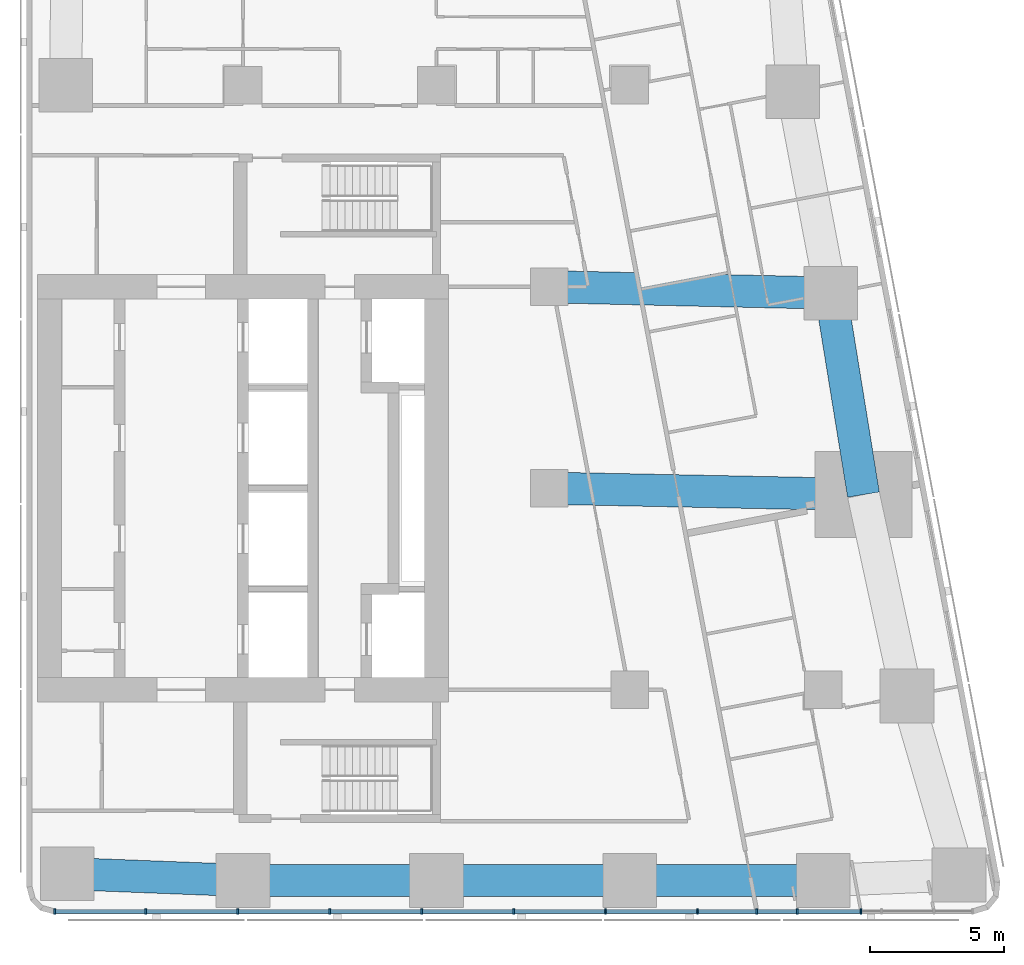
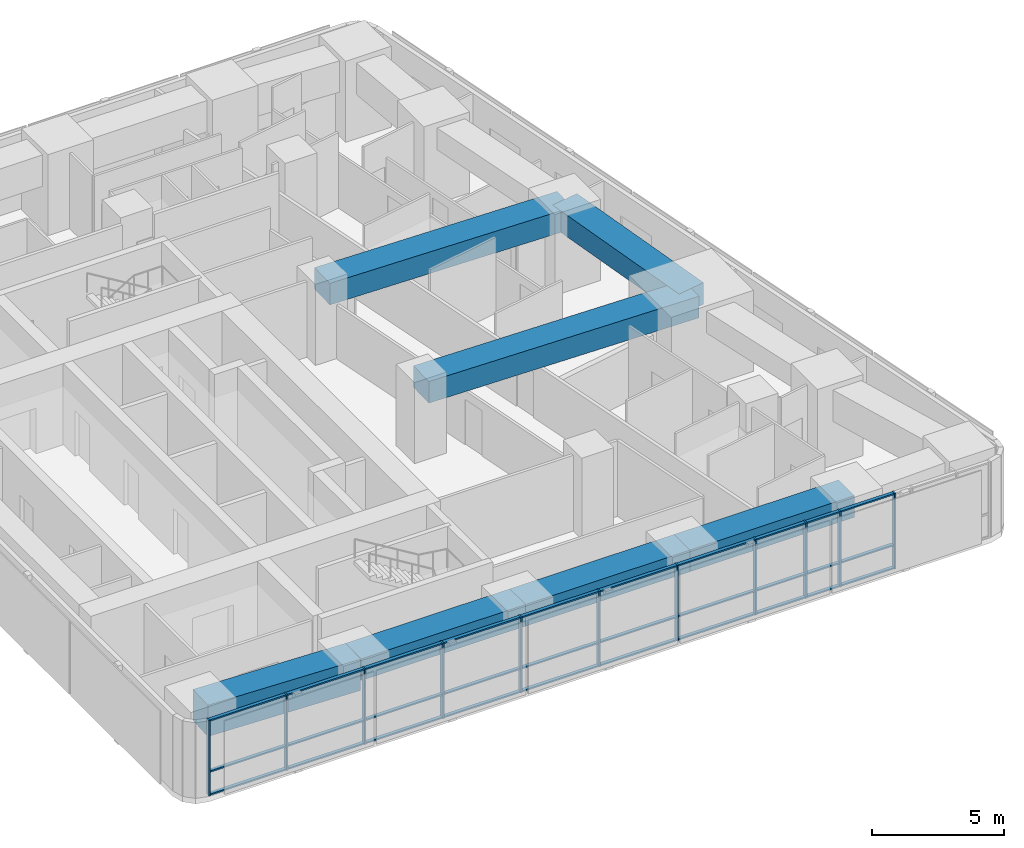
# One storey, part 2 of 10: 41 members, 7 beams, 1 element without a shape of its own.
"""IFC4 building model written with IfcOpenShell, lengths in metres."""

from ifc_helpers import new_model, si_unit, direction, frame, origin, origin_2d, place, context, subcontext, project, spatial, rectangle, extrude, material, material_profile, profile_set, type_object, element, aggregate, save


model = new_model("IFC4")

# Units and contexts
model_context = context("Model", 3, precision=1e-05, world=origin(), true_north=direction((0.0, 1.0)))
body_context = subcontext(model_context, "Body", "Model", "MODEL_VIEW")
ifc_project = project(units=[si_unit("LENGTHUNIT", "METRE"), si_unit("AREAUNIT", "SQUARE_METRE"), si_unit("VOLUMEUNIT", "CUBIC_METRE"), si_unit("PLANEANGLEUNIT", "RADIAN"), si_unit("MASSUNIT", "GRAM", prefix="KILO")], contexts=[model_context])

# Site, building, storey
site_placement = place(None, origin())
site = spatial("IfcSite", under=ifc_project, at=site_placement, CompositionType="ELEMENT")
building_placement = place(site_placement, origin())
building = spatial("IfcBuilding", under=site, at=building_placement, Name="Sheger Commons Tower", CompositionType="ELEMENT")
storey_placement = place(building_placement, frame((0.0, 0.0, 289.10009765625)))
storey = spatial("IfcBuildingStorey", under=building, at=storey_placement, Name="L74", CompositionType="ELEMENT", Elevation=289.10009765625)

# Beams
ifc_material_1 = material(Name="Concrete C50/60", Category="concrete")
ifc_material_profile_1 = material_profile(ifc_material_1, rectangle(XDim=1.199951171875, YDim=1.0, at=origin_2d()), Name="RC 1200x1000")
ifc_profile_set_1 = profile_set([ifc_material_profile_1], Name="Concrete C50/60")
beam_type_1 = type_object("IfcBeamType", Name="BEAM RC 1200x1000", PredefinedType="BEAM", material=ifc_profile_set_1)
beam_1_placement = place(storey_placement, frame((33.0, 22.5, 3.0), z_axis=(0.999794692776, -0.02026258368, 0.0), x_axis=(0.02026258368, 0.999794692776, 0.0)))
element("IfcBeam", 1, at=beam_1_placement, inside=storey, type_object=beam_type_1, Name="Beam 6-3000/D-7/D under L75", PredefinedType="BEAM", context=body_context, shape_type="SweptSolid", body=[
    extrude(rectangle(XDim=1.199951171875, YDim=1.0, at=origin_2d()), origin(), (0.0, 0.0, 1.0), 11.699462890625),
])
beam_2_placement = place(storey_placement, frame((33.0, 30.0, 3.0), z_axis=(0.999744258625, -0.022614538395, 0.0), x_axis=(0.022614538395, 0.999744258625, 0.0)))
element("IfcBeam", 2, at=beam_2_placement, inside=storey, type_object=beam_type_1, Name="Beam 6-3000/E-E/E under L75", PredefinedType="BEAM", context=body_context, shape_type="SweptSolid", body=[
    extrude(rectangle(XDim=1.199951171875, YDim=1.0, at=origin_2d()), origin(), (0.0, 0.0, 1.0), 10.482666015625),
])

# Curtain wall, members
ifc_material_2 = material(Name="Black aluminium curtain wall, dark tinted glazing", Category="aluminium")
curtain_wall_type = type_object("IfcCurtainWallType", Name="CURTAIN WALL CW5 SOUTH GALLERY", PredefinedType="USERDEFINED", material=ifc_material_2)
curtain_wall_placement = place(storey_placement, origin())
curtain_wall = element("IfcCurtainWall", 3, at=curtain_wall_placement, inside=storey, type_object=curtain_wall_type, Name="Curtain Wall Cw5 South Gallery S1 L74", ObjectType="UNITISED CURTAIN WALL", PredefinedType="USERDEFINED")
ifc_material_3 = material(Name="Black anodised aluminium", Category="aluminium")
ifc_material_profile_2 = material_profile(ifc_material_3, rectangle(XDim=0.199951171875, YDim=0.06494140625, at=origin_2d()), Name="AL 65x200")
ifc_profile_set_2 = profile_set([ifc_material_profile_2], Name="Black anodised aluminium")
member_type_1 = type_object("IfcMemberType", Name="MULLION AL 65x200", PredefinedType="MULLION", material=ifc_profile_set_2)
member_1_placement = place(storey_placement, frame((14.595458984375, 6.75, 0.0), z_axis=(0.0, 0.0, 1.0), x_axis=(0.0, 1.0, 0.0)))
member_1 = element("IfcMember", 4, at=member_1_placement, type_object=member_type_1, Name="CW5 mullion 1", PredefinedType="MULLION", context=body_context, shape_type="SweptSolid", body=[
    extrude(rectangle(XDim=0.199951171875, YDim=0.06494140625, at=origin_2d()), origin(), (0.0, 0.0, 1.0), 3.5),
])
member_2_placement = place(storey_placement, frame((17.985107421875, 6.75, 0.0), z_axis=(0.0, 0.0, 1.0), x_axis=(0.0, 1.0, 0.0)))
member_2 = element("IfcMember", 5, at=member_2_placement, type_object=member_type_1, Name="CW5 mullion 2", PredefinedType="MULLION", context=body_context, shape_type="SweptSolid", body=[
    extrude(rectangle(XDim=0.199951171875, YDim=0.06494140625, at=origin_2d()), origin(), (0.0, 0.0, 1.0), 3.5),
])
member_3_placement = place(storey_placement, frame((21.407958984375, 6.75, 0.0), z_axis=(0.0, 0.0, 1.0), x_axis=(0.0, 1.0, 0.0)))
member_3 = element("IfcMember", 6, at=member_3_placement, type_object=member_type_1, Name="CW5 mullion 3", PredefinedType="MULLION", context=body_context, shape_type="SweptSolid", body=[
    extrude(rectangle(XDim=0.199951171875, YDim=0.06494140625, at=origin_2d()), origin(), (0.0, 0.0, 1.0), 3.5),
])
member_4_placement = place(storey_placement, frame((24.830078125, 6.75, 0.0), z_axis=(0.0, 0.0, 1.0), x_axis=(0.0, 1.0, 0.0)))
member_4 = element("IfcMember", 7, at=member_4_placement, type_object=member_type_1, Name="CW5 mullion 4", PredefinedType="MULLION", context=body_context, shape_type="SweptSolid", body=[
    extrude(rectangle(XDim=0.199951171875, YDim=0.06494140625, at=origin_2d()), origin(), (0.0, 0.0, 1.0), 3.5),
])
member_5_placement = place(storey_placement, frame((28.2529296875, 6.75, 0.0), z_axis=(0.0, 0.0, 1.0), x_axis=(0.0, 1.0, 0.0)))
member_5 = element("IfcMember", 8, at=member_5_placement, type_object=member_type_1, Name="CW5 mullion 5", PredefinedType="MULLION", context=body_context, shape_type="SweptSolid", body=[
    extrude(rectangle(XDim=0.199951171875, YDim=0.06494140625, at=origin_2d()), origin(), (0.0, 0.0, 1.0), 3.5),
])
member_6_placement = place(storey_placement, frame((31.675048828125, 6.75, 0.0), z_axis=(0.0, 0.0, 1.0), x_axis=(0.0, 1.0, 0.0)))
member_6 = element("IfcMember", 9, at=member_6_placement, type_object=member_type_1, Name="CW5 mullion 6", PredefinedType="MULLION", context=body_context, shape_type="SweptSolid", body=[
    extrude(rectangle(XDim=0.199951171875, YDim=0.06494140625, at=origin_2d()), origin(), (0.0, 0.0, 1.0), 3.5),
])
member_7_placement = place(storey_placement, frame((35.096923828125, 6.75, 0.0), z_axis=(0.0, 0.0, 1.0), x_axis=(0.0, 1.0, 0.0)))
member_7 = element("IfcMember", 10, at=member_7_placement, type_object=member_type_1, Name="CW5 mullion 7", PredefinedType="MULLION", context=body_context, shape_type="SweptSolid", body=[
    extrude(rectangle(XDim=0.199951171875, YDim=0.06494140625, at=origin_2d()), origin(), (0.0, 0.0, 1.0), 3.5),
])
member_8_placement = place(storey_placement, frame((38.52001953125, 6.75, 0.0), z_axis=(0.0, 0.0, 1.0), x_axis=(0.0, 1.0, 0.0)))
member_8 = element("IfcMember", 11, at=member_8_placement, type_object=member_type_1, Name="CW5 mullion 8", PredefinedType="MULLION", context=body_context, shape_type="SweptSolid", body=[
    extrude(rectangle(XDim=0.199951171875, YDim=0.06494140625, at=origin_2d()), origin(), (0.0, 0.0, 1.0), 3.5),
])
member_9_placement = place(storey_placement, frame((40.72900390625, 6.75, 0.0), z_axis=(0.0, 0.0, 1.0), x_axis=(0.0, 1.0, 0.0)))
member_9 = element("IfcMember", 12, at=member_9_placement, type_object=member_type_1, Name="CW5 mullion 9", PredefinedType="MULLION", context=body_context, shape_type="SweptSolid", body=[
    extrude(rectangle(XDim=0.199951171875, YDim=0.06494140625, at=origin_2d()), origin(), (0.0, 0.0, 1.0), 3.5),
])
member_10_placement = place(storey_placement, frame((42.22802734375, 6.75, 0.0), z_axis=(0.0, 0.0, 1.0), x_axis=(0.0, 1.0, 0.0)))
member_10 = element("IfcMember", 13, at=member_10_placement, type_object=member_type_1, Name="CW5 mullion 10", PredefinedType="MULLION", context=body_context, shape_type="SweptSolid", body=[
    extrude(rectangle(XDim=0.199951171875, YDim=0.06494140625, at=origin_2d()), origin(), (0.0, 0.0, 1.0), 3.5),
])
member_11_placement = place(storey_placement, frame((44.60595703125, 6.75, 0.0), z_axis=(0.0, 0.0, 1.0), x_axis=(0.0, 1.0, 0.0)))
member_11 = element("IfcMember", 14, at=member_11_placement, type_object=member_type_1, Name="CW5 mullion 11", PredefinedType="MULLION", context=body_context, shape_type="SweptSolid", body=[
    extrude(rectangle(XDim=0.199951171875, YDim=0.06494140625, at=origin_2d()), origin(), (0.0, 0.0, 1.0), 3.5),
])

# Beams
ifc_material_4 = material(Name="Concrete C50/60", Category="concrete")
ifc_material_profile_3 = material_profile(ifc_material_4, rectangle(XDim=1.199951171875, YDim=1.0, at=origin_2d()), Name="RC 1200x1000")
ifc_profile_set_3 = profile_set([ifc_material_profile_3], Name="Concrete C50/60")
beam_type_2 = type_object("IfcBeamType", Name="SPANDREL RC 1200x1000", PredefinedType="SPANDREL", material=ifc_profile_set_3)
for number, where, z_axis, x_axis, name in (
    (15, (21.60009765625, 7.89990234375, 3.0), (1.0, 0.0, 0.0), (0.0, 1.0, 0.0), "Beam 4/B-5/B under L75"),
    (16, (28.800048828125, 7.89990234375, 3.0), (1.0, 0.0, 0.0), (0.0, 1.0, 0.0), "Beam 5/B-6/B under L75"),
    (17, (36.0, 7.89990234375, 3.0), (1.0, 0.0, 0.0), (0.0, 1.0, 0.0), "Beam 6/B-7/B under L75"),
):
    element("IfcBeam", number, at=place(storey_placement, frame(where, z_axis=z_axis, x_axis=x_axis)), inside=storey, type_object=beam_type_2, Name=name, PredefinedType="SPANDREL", context=body_context, shape_type="SweptSolid", body=[
        extrude(rectangle(XDim=1.199951171875, YDim=1.0, at=origin_2d()), origin(), (0.0, 0.0, 1.0), 7.199951171875),
    ])
beam_3_placement = place(storey_placement, frame((44.697021484375, 22.262939453125, 3.0), z_axis=(-0.160176929512, 0.987088319884, 0.0), x_axis=(-0.987088319884, -0.160176929512, 0.0)))
element("IfcBeam", 18, at=beam_3_placement, inside=storey, type_object=beam_type_2, Name="Beam E/D-E/E under L75", PredefinedType="SPANDREL", context=body_context, shape_type="SweptSolid", body=[
    extrude(rectangle(XDim=1.199951171875, YDim=1.0, at=origin_2d()), origin(), (0.0, 0.0, 1.0), 7.59814453125),
])
ifc_material_5 = material(Name="Concrete C50/60", Category="concrete")
ifc_material_profile_4 = material_profile(ifc_material_5, rectangle(XDim=1.199951171875, YDim=1.449951171875, at=origin_2d()), Name="RC 1200x1450")
ifc_profile_set_4 = profile_set([ifc_material_profile_4], Name="Concrete C50/60")
beam_type_3 = type_object("IfcBeamType", Name="SPANDREL RC 1200x1450", PredefinedType="SPANDREL", material=ifc_profile_set_4)
beam_4_placement = place(storey_placement, frame((15.053955078125, 8.154052734375, 2.77490234375), z_axis=(0.999247181966, -0.038795223079, 0.0), x_axis=(0.038795223079, 0.999247181966, 0.0)))
element("IfcBeam", 19, at=beam_4_placement, inside=storey, type_object=beam_type_3, Name="Beam 3/B-4/B under L75", PredefinedType="SPANDREL", context=body_context, shape_type="SweptSolid", body=[
    extrude(rectangle(XDim=1.199951171875, YDim=1.449951171875, at=origin_2d()), origin(), (0.0, 0.0, 1.0), 6.551025390625),
])

# Member
ifc_material_6 = material(Name="Black anodised aluminium", Category="aluminium")
ifc_material_profile_5 = material_profile(ifc_material_6, rectangle(XDim=0.14990234375, YDim=0.06494140625, at=origin_2d()), Name="AL 65x150")
ifc_profile_set_5 = profile_set([ifc_material_profile_5], Name="Black anodised aluminium")
member_type_2 = type_object("IfcMemberType", Name="TRANSOM AL 65x150", PredefinedType="USERDEFINED", material=ifc_profile_set_5)
member_12_placement = place(storey_placement, frame((14.6279296875, 6.75, 0.032470703125), z_axis=(1.0, 0.0, 0.0), x_axis=(0.0, 1.0, 0.0)))
member_12 = element("IfcMember", 20, at=member_12_placement, type_object=member_type_2, Name="CW5 transom 1.1", ObjectType="TRANSOM", PredefinedType="USERDEFINED", context=body_context, shape_type="SweptSolid", body=[
    extrude(rectangle(XDim=0.14990234375, YDim=0.06494140625, at=origin_2d()), origin(), (0.0, 0.0, 1.0), 3.324462890625),
])

member_13_placement = place(storey_placement, frame((14.6279296875, 6.75, 1.099853515625), z_axis=(1.0, 0.0, 0.0), x_axis=(0.0, 1.0, 0.0)))
member_13 = element("IfcMember", 21, at=member_13_placement, type_object=member_type_2, Name="CW5 transom 1.2", ObjectType="TRANSOM", PredefinedType="USERDEFINED", context=body_context, shape_type="SweptSolid", body=[
    extrude(rectangle(XDim=0.14990234375, YDim=0.06494140625, at=origin_2d()), origin(), (0.0, 0.0, 1.0), 3.324462890625),
])

member_14_placement = place(storey_placement, frame((14.6279296875, 6.75, 3.46728515625), z_axis=(1.0, 0.0, 0.0), x_axis=(0.0, 1.0, 0.0)))
member_14 = element("IfcMember", 22, at=member_14_placement, type_object=member_type_2, Name="CW5 transom 1.3", ObjectType="TRANSOM", PredefinedType="USERDEFINED", context=body_context, shape_type="SweptSolid", body=[
    extrude(rectangle(XDim=0.14990234375, YDim=0.06494140625, at=origin_2d()), origin(), (0.0, 0.0, 1.0), 3.324462890625),
])

member_15_placement = place(storey_placement, frame((18.017578125, 6.75, 0.032470703125), z_axis=(1.0, 0.0, 0.0), x_axis=(0.0, 1.0, 0.0)))
member_15 = element("IfcMember", 23, at=member_15_placement, type_object=member_type_2, Name="CW5 transom 2.1", ObjectType="TRANSOM", PredefinedType="USERDEFINED", context=body_context, shape_type="SweptSolid", body=[
    extrude(rectangle(XDim=0.14990234375, YDim=0.06494140625, at=origin_2d()), origin(), (0.0, 0.0, 1.0), 3.35791015625),
])

member_16_placement = place(storey_placement, frame((18.017578125, 6.75, 1.099853515625), z_axis=(1.0, 0.0, 0.0), x_axis=(0.0, 1.0, 0.0)))
member_16 = element("IfcMember", 24, at=member_16_placement, type_object=member_type_2, Name="CW5 transom 2.2", ObjectType="TRANSOM", PredefinedType="USERDEFINED", context=body_context, shape_type="SweptSolid", body=[
    extrude(rectangle(XDim=0.14990234375, YDim=0.06494140625, at=origin_2d()), origin(), (0.0, 0.0, 1.0), 3.35791015625),
])

member_17_placement = place(storey_placement, frame((18.017578125, 6.75, 3.46728515625), z_axis=(1.0, 0.0, 0.0), x_axis=(0.0, 1.0, 0.0)))
member_17 = element("IfcMember", 25, at=member_17_placement, type_object=member_type_2, Name="CW5 transom 2.3", ObjectType="TRANSOM", PredefinedType="USERDEFINED", context=body_context, shape_type="SweptSolid", body=[
    extrude(rectangle(XDim=0.14990234375, YDim=0.06494140625, at=origin_2d()), origin(), (0.0, 0.0, 1.0), 3.35791015625),
])

member_18_placement = place(storey_placement, frame((21.4404296875, 6.75, 0.032470703125), z_axis=(1.0, 0.0, 0.0), x_axis=(0.0, 1.0, 0.0)))
member_18 = element("IfcMember", 26, at=member_18_placement, type_object=member_type_2, Name="CW5 transom 3.1", ObjectType="TRANSOM", PredefinedType="USERDEFINED", context=body_context, shape_type="SweptSolid", body=[
    extrude(rectangle(XDim=0.14990234375, YDim=0.06494140625, at=origin_2d()), origin(), (0.0, 0.0, 1.0), 3.357177734375),
])

member_19_placement = place(storey_placement, frame((21.4404296875, 6.75, 1.099853515625), z_axis=(1.0, 0.0, 0.0), x_axis=(0.0, 1.0, 0.0)))
member_19 = element("IfcMember", 27, at=member_19_placement, type_object=member_type_2, Name="CW5 transom 3.2", ObjectType="TRANSOM", PredefinedType="USERDEFINED", context=body_context, shape_type="SweptSolid", body=[
    extrude(rectangle(XDim=0.14990234375, YDim=0.06494140625, at=origin_2d()), origin(), (0.0, 0.0, 1.0), 3.357177734375),
])

member_20_placement = place(storey_placement, frame((21.4404296875, 6.75, 3.46728515625), z_axis=(1.0, 0.0, 0.0), x_axis=(0.0, 1.0, 0.0)))
member_20 = element("IfcMember", 28, at=member_20_placement, type_object=member_type_2, Name="CW5 transom 3.3", ObjectType="TRANSOM", PredefinedType="USERDEFINED", context=body_context, shape_type="SweptSolid", body=[
    extrude(rectangle(XDim=0.14990234375, YDim=0.06494140625, at=origin_2d()), origin(), (0.0, 0.0, 1.0), 3.357177734375),
])

member_21_placement = place(storey_placement, frame((24.862548828125, 6.75, 0.032470703125), z_axis=(1.0, 0.0, 0.0), x_axis=(0.0, 1.0, 0.0)))
member_21 = element("IfcMember", 29, at=member_21_placement, type_object=member_type_2, Name="CW5 transom 4.1", ObjectType="TRANSOM", PredefinedType="USERDEFINED", context=body_context, shape_type="SweptSolid", body=[
    extrude(rectangle(XDim=0.14990234375, YDim=0.06494140625, at=origin_2d()), origin(), (0.0, 0.0, 1.0), 3.35791015625),
])

member_22_placement = place(storey_placement, frame((24.862548828125, 6.75, 1.099853515625), z_axis=(1.0, 0.0, 0.0), x_axis=(0.0, 1.0, 0.0)))
member_22 = element("IfcMember", 30, at=member_22_placement, type_object=member_type_2, Name="CW5 transom 4.2", ObjectType="TRANSOM", PredefinedType="USERDEFINED", context=body_context, shape_type="SweptSolid", body=[
    extrude(rectangle(XDim=0.14990234375, YDim=0.06494140625, at=origin_2d()), origin(), (0.0, 0.0, 1.0), 3.35791015625),
])

member_23_placement = place(storey_placement, frame((24.862548828125, 6.75, 3.46728515625), z_axis=(1.0, 0.0, 0.0), x_axis=(0.0, 1.0, 0.0)))
member_23 = element("IfcMember", 31, at=member_23_placement, type_object=member_type_2, Name="CW5 transom 4.3", ObjectType="TRANSOM", PredefinedType="USERDEFINED", context=body_context, shape_type="SweptSolid", body=[
    extrude(rectangle(XDim=0.14990234375, YDim=0.06494140625, at=origin_2d()), origin(), (0.0, 0.0, 1.0), 3.35791015625),
])

member_24_placement = place(storey_placement, frame((28.285400390625, 6.75, 0.032470703125), z_axis=(1.0, 0.0, 0.0), x_axis=(0.0, 1.0, 0.0)))
member_24 = element("IfcMember", 32, at=member_24_placement, type_object=member_type_2, Name="CW5 transom 5.1", ObjectType="TRANSOM", PredefinedType="USERDEFINED", context=body_context, shape_type="SweptSolid", body=[
    extrude(rectangle(XDim=0.14990234375, YDim=0.06494140625, at=origin_2d()), origin(), (0.0, 0.0, 1.0), 3.357177734375),
])

member_25_placement = place(storey_placement, frame((28.285400390625, 6.75, 1.099853515625), z_axis=(1.0, 0.0, 0.0), x_axis=(0.0, 1.0, 0.0)))
member_25 = element("IfcMember", 33, at=member_25_placement, type_object=member_type_2, Name="CW5 transom 5.2", ObjectType="TRANSOM", PredefinedType="USERDEFINED", context=body_context, shape_type="SweptSolid", body=[
    extrude(rectangle(XDim=0.14990234375, YDim=0.06494140625, at=origin_2d()), origin(), (0.0, 0.0, 1.0), 3.357177734375),
])

member_26_placement = place(storey_placement, frame((28.285400390625, 6.75, 3.46728515625), z_axis=(1.0, 0.0, 0.0), x_axis=(0.0, 1.0, 0.0)))
member_26 = element("IfcMember", 34, at=member_26_placement, type_object=member_type_2, Name="CW5 transom 5.3", ObjectType="TRANSOM", PredefinedType="USERDEFINED", context=body_context, shape_type="SweptSolid", body=[
    extrude(rectangle(XDim=0.14990234375, YDim=0.06494140625, at=origin_2d()), origin(), (0.0, 0.0, 1.0), 3.357177734375),
])

member_27_placement = place(storey_placement, frame((31.70751953125, 6.75, 0.032470703125), z_axis=(1.0, 0.0, 0.0), x_axis=(0.0, 1.0, 0.0)))
member_27 = element("IfcMember", 35, at=member_27_placement, type_object=member_type_2, Name="CW5 transom 6.1", ObjectType="TRANSOM", PredefinedType="USERDEFINED", context=body_context, shape_type="SweptSolid", body=[
    extrude(rectangle(XDim=0.14990234375, YDim=0.06494140625, at=origin_2d()), origin(), (0.0, 0.0, 1.0), 3.35693359375),
])

member_28_placement = place(storey_placement, frame((31.70751953125, 6.75, 1.099853515625), z_axis=(1.0, 0.0, 0.0), x_axis=(0.0, 1.0, 0.0)))
member_28 = element("IfcMember", 36, at=member_28_placement, type_object=member_type_2, Name="CW5 transom 6.2", ObjectType="TRANSOM", PredefinedType="USERDEFINED", context=body_context, shape_type="SweptSolid", body=[
    extrude(rectangle(XDim=0.14990234375, YDim=0.06494140625, at=origin_2d()), origin(), (0.0, 0.0, 1.0), 3.35693359375),
])

member_29_placement = place(storey_placement, frame((31.70751953125, 6.75, 3.46728515625), z_axis=(1.0, 0.0, 0.0), x_axis=(0.0, 1.0, 0.0)))
member_29 = element("IfcMember", 37, at=member_29_placement, type_object=member_type_2, Name="CW5 transom 6.3", ObjectType="TRANSOM", PredefinedType="USERDEFINED", context=body_context, shape_type="SweptSolid", body=[
    extrude(rectangle(XDim=0.14990234375, YDim=0.06494140625, at=origin_2d()), origin(), (0.0, 0.0, 1.0), 3.35693359375),
])

member_30_placement = place(storey_placement, frame((35.12939453125, 6.75, 0.032470703125), z_axis=(1.0, 0.0, 0.0), x_axis=(0.0, 1.0, 0.0)))
member_30 = element("IfcMember", 38, at=member_30_placement, type_object=member_type_2, Name="CW5 transom 7.1", ObjectType="TRANSOM", PredefinedType="USERDEFINED", context=body_context, shape_type="SweptSolid", body=[
    extrude(rectangle(XDim=0.14990234375, YDim=0.06494140625, at=origin_2d()), origin(), (0.0, 0.0, 1.0), 3.358154296875),
])

member_31_placement = place(storey_placement, frame((35.12939453125, 6.75, 1.099853515625), z_axis=(1.0, 0.0, 0.0), x_axis=(0.0, 1.0, 0.0)))
member_31 = element("IfcMember", 39, at=member_31_placement, type_object=member_type_2, Name="CW5 transom 7.2", ObjectType="TRANSOM", PredefinedType="USERDEFINED", context=body_context, shape_type="SweptSolid", body=[
    extrude(rectangle(XDim=0.14990234375, YDim=0.06494140625, at=origin_2d()), origin(), (0.0, 0.0, 1.0), 3.358154296875),
])

member_32_placement = place(storey_placement, frame((35.12939453125, 6.75, 3.46728515625), z_axis=(1.0, 0.0, 0.0), x_axis=(0.0, 1.0, 0.0)))
member_32 = element("IfcMember", 40, at=member_32_placement, type_object=member_type_2, Name="CW5 transom 7.3", ObjectType="TRANSOM", PredefinedType="USERDEFINED", context=body_context, shape_type="SweptSolid", body=[
    extrude(rectangle(XDim=0.14990234375, YDim=0.06494140625, at=origin_2d()), origin(), (0.0, 0.0, 1.0), 3.358154296875),
])

member_33_placement = place(storey_placement, frame((38.552490234375, 6.75, 0.032470703125), z_axis=(1.0, 0.0, 0.0), x_axis=(0.0, 1.0, 0.0)))
member_33 = element("IfcMember", 41, at=member_33_placement, type_object=member_type_2, Name="CW5 transom 8.1", ObjectType="TRANSOM", PredefinedType="USERDEFINED", context=body_context, shape_type="SweptSolid", body=[
    extrude(rectangle(XDim=0.14990234375, YDim=0.06494140625, at=origin_2d()), origin(), (0.0, 0.0, 1.0), 2.14404296875),
])

member_34_placement = place(storey_placement, frame((38.552490234375, 6.75, 1.099853515625), z_axis=(1.0, 0.0, 0.0), x_axis=(0.0, 1.0, 0.0)))
member_34 = element("IfcMember", 42, at=member_34_placement, type_object=member_type_2, Name="CW5 transom 8.2", ObjectType="TRANSOM", PredefinedType="USERDEFINED", context=body_context, shape_type="SweptSolid", body=[
    extrude(rectangle(XDim=0.14990234375, YDim=0.06494140625, at=origin_2d()), origin(), (0.0, 0.0, 1.0), 2.14404296875),
])

member_35_placement = place(storey_placement, frame((38.552490234375, 6.75, 3.46728515625), z_axis=(1.0, 0.0, 0.0), x_axis=(0.0, 1.0, 0.0)))
member_35 = element("IfcMember", 43, at=member_35_placement, type_object=member_type_2, Name="CW5 transom 8.3", ObjectType="TRANSOM", PredefinedType="USERDEFINED", context=body_context, shape_type="SweptSolid", body=[
    extrude(rectangle(XDim=0.14990234375, YDim=0.06494140625, at=origin_2d()), origin(), (0.0, 0.0, 1.0), 2.14404296875),
])

member_36_placement = place(storey_placement, frame((40.761474609375, 6.75, 0.032470703125), z_axis=(1.0, 0.0, 0.0), x_axis=(0.0, 1.0, 0.0)))
member_36 = element("IfcMember", 44, at=member_36_placement, type_object=member_type_2, Name="CW5 transom 9.1", ObjectType="TRANSOM", PredefinedType="USERDEFINED", context=body_context, shape_type="SweptSolid", body=[
    extrude(rectangle(XDim=0.14990234375, YDim=0.06494140625, at=origin_2d()), origin(), (0.0, 0.0, 1.0), 1.43408203125),
])

member_37_placement = place(storey_placement, frame((40.761474609375, 6.75, 1.099853515625), z_axis=(1.0, 0.0, 0.0), x_axis=(0.0, 1.0, 0.0)))
member_37 = element("IfcMember", 45, at=member_37_placement, type_object=member_type_2, Name="CW5 transom 9.2", ObjectType="TRANSOM", PredefinedType="USERDEFINED", context=body_context, shape_type="SweptSolid", body=[
    extrude(rectangle(XDim=0.14990234375, YDim=0.06494140625, at=origin_2d()), origin(), (0.0, 0.0, 1.0), 1.43408203125),
])

member_38_placement = place(storey_placement, frame((40.761474609375, 6.75, 3.46728515625), z_axis=(1.0, 0.0, 0.0), x_axis=(0.0, 1.0, 0.0)))
member_38 = element("IfcMember", 46, at=member_38_placement, type_object=member_type_2, Name="CW5 transom 9.3", ObjectType="TRANSOM", PredefinedType="USERDEFINED", context=body_context, shape_type="SweptSolid", body=[
    extrude(rectangle(XDim=0.14990234375, YDim=0.06494140625, at=origin_2d()), origin(), (0.0, 0.0, 1.0), 1.43408203125),
])

member_39_placement = place(storey_placement, frame((42.260498046875, 6.75, 0.032470703125), z_axis=(1.0, 0.0, 0.0), x_axis=(0.0, 1.0, 0.0)))
member_39 = element("IfcMember", 47, at=member_39_placement, type_object=member_type_2, Name="CW5 transom 10.1", ObjectType="TRANSOM", PredefinedType="USERDEFINED", context=body_context, shape_type="SweptSolid", body=[
    extrude(rectangle(XDim=0.14990234375, YDim=0.06494140625, at=origin_2d()), origin(), (0.0, 0.0, 1.0), 2.31298828125),
])

member_40_placement = place(storey_placement, frame((42.260498046875, 6.75, 1.099853515625), z_axis=(1.0, 0.0, 0.0), x_axis=(0.0, 1.0, 0.0)))
member_40 = element("IfcMember", 48, at=member_40_placement, type_object=member_type_2, Name="CW5 transom 10.2", ObjectType="TRANSOM", PredefinedType="USERDEFINED", context=body_context, shape_type="SweptSolid", body=[
    extrude(rectangle(XDim=0.14990234375, YDim=0.06494140625, at=origin_2d()), origin(), (0.0, 0.0, 1.0), 2.31298828125),
])

member_41_placement = place(storey_placement, frame((42.260498046875, 6.75, 3.46728515625), z_axis=(1.0, 0.0, 0.0), x_axis=(0.0, 1.0, 0.0)))
member_41 = element("IfcMember", 49, at=member_41_placement, type_object=member_type_2, Name="CW5 transom 10.3", ObjectType="TRANSOM", PredefinedType="USERDEFINED", context=body_context, shape_type="SweptSolid", body=[
    extrude(rectangle(XDim=0.14990234375, YDim=0.06494140625, at=origin_2d()), origin(), (0.0, 0.0, 1.0), 2.31298828125),
])

aggregate(curtain_wall, [member_1, member_2, member_3, member_4, member_5, member_6, member_7, member_8, member_9, member_10, member_11, member_12, member_13, member_14, member_15, member_16, member_17, member_18, member_19, member_20, member_21, member_22, member_23, member_24, member_25, member_26, member_27, member_28, member_29, member_30, member_31, member_32, member_33, member_34, member_35, member_36, member_37, member_38, member_39, member_40, member_41])

save(model, "model.ifc")
